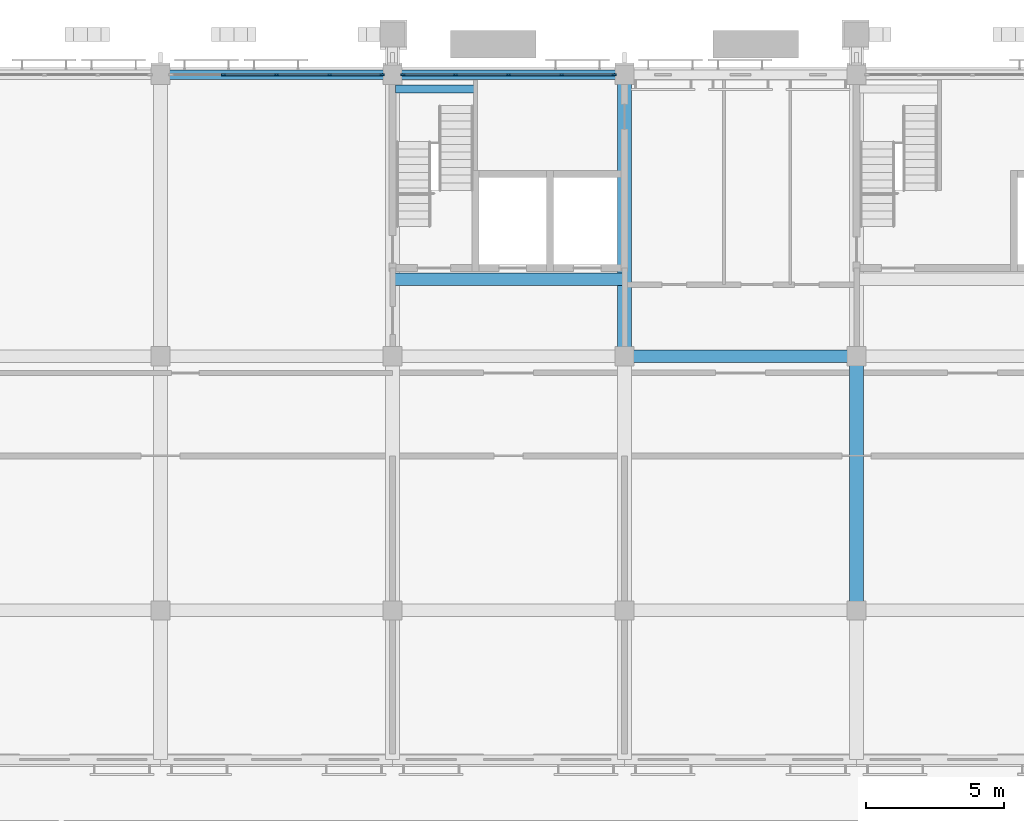
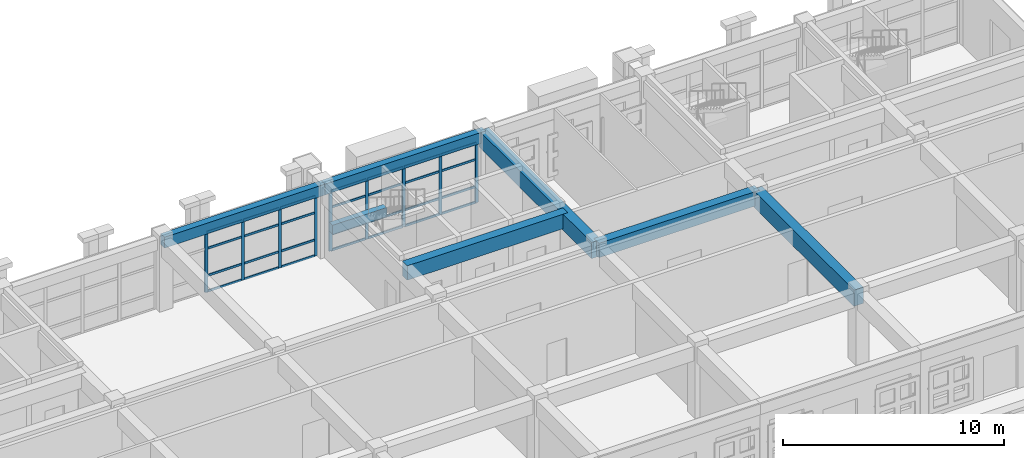
# One storey, part 28 of 99: 37 members, 7 beams, 2 elements without a shape of their own.
"""IFC4 building model written with IfcOpenShell, lengths in metres."""

from ifc_helpers import new_model, si_unit, direction, frame, origin, origin_2d, place, context, subcontext, project, spatial, rectangle, extrude, material, layer, layer_set, material_profile, profile_set, type_object, element, aggregate, save


model = new_model("IFC4")

# Units and contexts
model_context = context("Model", 3, precision=1e-05, world=origin(), true_north=direction((0.0, 1.0)))
body_context = subcontext(model_context, "Body", "Model", "MODEL_VIEW")
ifc_project = project(units=[si_unit("LENGTHUNIT", "METRE"), si_unit("AREAUNIT", "SQUARE_METRE"), si_unit("VOLUMEUNIT", "CUBIC_METRE"), si_unit("PLANEANGLEUNIT", "RADIAN"), si_unit("MASSUNIT", "GRAM", prefix="KILO")], contexts=[model_context])

# Site, building, storey
site_placement = place(None, origin())
site = spatial("IfcSite", under=ifc_project, at=site_placement, CompositionType="ELEMENT")
building_placement = place(site_placement, origin())
building = spatial("IfcBuilding", under=site, at=building_placement, Name="Wasatch Bagh Community Centre", CompositionType="ELEMENT")
storey_placement = place(building_placement, frame((0.0, 0.0, 4.199951171875)))
storey = spatial("IfcBuildingStorey", under=building, at=storey_placement, Name="L01", CompositionType="ELEMENT", Elevation=4.199951171875)

# Beams
ifc_material_1 = material(Name="Concrete C35", Category="concrete")
ifc_material_profile_1 = material_profile(ifc_material_1, rectangle(XDim=0.300048828125, YDim=0.5, at=origin_2d()), Name="RC 300x500")
ifc_profile_set_1 = profile_set([ifc_material_profile_1], Name="Concrete C35")
beam_type_1 = type_object("IfcBeamType", Name="LW RC 300x500", PredefinedType="BEAM", material=ifc_profile_set_1)
beam_1_placement = place(storey_placement, frame((106.10498046875, 97.280029296875, 1.650146484375), z_axis=(1.0, 0.0, 0.0), x_axis=(0.0, 1.0, 0.0)))
element("IfcBeam", 1, at=beam_1_placement, inside=storey, type_object=beam_type_1, Name="LW.lbeam.L01.C2", PredefinedType="BEAM", context=body_context, shape_type="SweptSolid", body=[
    extrude(rectangle(XDim=0.300048828125, YDim=0.5, at=origin_2d()), origin(), (0.0, 0.0, 1.0), 2.840087890625),
])
ifc_material_profile_2 = material_profile(ifc_material_1, rectangle(XDim=0.35009765625, YDim=0.60009765625, at=origin_2d()), Name="RC 350x600")
ifc_profile_set_2 = profile_set([ifc_material_profile_2], Name="Concrete C35")
beam_type_2 = type_object("IfcBeamType", Name="LW RC 350x600", PredefinedType="BEAM", material=ifc_profile_set_2)
for number, where, z_axis, x_axis, name in (
    (2, (97.60009765625, 97.800048828125, 3.6201171875), (1.0, 0.0, 0.0), (0.0, 1.0, 0.0), "W5-W6N"),
    (3, (106.0, 97.800048828125, 3.6201171875), (1.0, 0.0, 0.0), (0.0, 1.0, 0.0), "W6-W7N"),
):
    element("IfcBeam", number, at=place(storey_placement, frame(where, z_axis=z_axis, x_axis=x_axis)), inside=storey, type_object=beam_type_2, Name=name, PredefinedType="BEAM", context=body_context, shape_type="SweptSolid", body=[
        extrude(rectangle(XDim=0.35009765625, YDim=0.60009765625, at=origin_2d()), origin(), (0.0, 0.0, 1.0), 8.39990234375),
    ])
ifc_material_profile_3 = material_profile(ifc_material_1, rectangle(XDim=0.449951171875, YDim=0.800048828125, at=origin_2d()), Name="RC 450x800")
ifc_profile_set_3 = profile_set([ifc_material_profile_3], Name="Concrete C35")
beam_type_3 = type_object("IfcBeamType", Name="LW RC 450x800", PredefinedType="BEAM", material=ifc_profile_set_3)
beam_2_placement = place(storey_placement, frame((114.39990234375, 87.60009765625, 3.52001953125), z_axis=(1.0, 0.0, 0.0), x_axis=(0.0, 1.0, 0.0)))
element("IfcBeam", 4, at=beam_2_placement, inside=storey, type_object=beam_type_3, Name="W7-W8M", PredefinedType="BEAM", context=body_context, shape_type="SweptSolid", body=[
    extrude(rectangle(XDim=0.449951171875, YDim=0.800048828125, at=origin_2d()), origin(), (0.0, 0.0, 1.0), 8.400146484375),
])
beam_3_placement = place(storey_placement, frame((106.0, 90.39990234375, 3.52001953125), z_axis=(1.0, 0.0, 0.0), x_axis=(0.0, 1.0, 0.0)))
element("IfcBeam", 5, at=beam_3_placement, inside=storey, type_object=beam_type_3, Name="C2-transfer", PredefinedType="BEAM", context=body_context, shape_type="SweptSolid", body=[
    extrude(rectangle(XDim=0.449951171875, YDim=0.800048828125, at=origin_2d()), origin(), (0.0, 0.0, 1.0), 8.39990234375),
])
ifc_material_profile_4 = material_profile(ifc_material_1, rectangle(XDim=0.5, YDim=0.89990234375, at=origin_2d()), Name="RC 500x900")
ifc_profile_set_4 = profile_set([ifc_material_profile_4], Name="Concrete C35")
beam_type_4 = type_object("IfcBeamType", Name="LW RC 500x900", PredefinedType="BEAM", material=ifc_profile_set_4)
beam_4_placement = place(storey_placement, frame((114.39990234375, 87.60009765625, 3.469970703125), z_axis=(0.0, 1.0, 0.0), x_axis=(-1.0, 0.0, 0.0)))
element("IfcBeam", 6, at=beam_4_placement, inside=storey, type_object=beam_type_4, Name="W7M-N", PredefinedType="BEAM", context=body_context, shape_type="SweptSolid", body=[
    extrude(rectangle(XDim=0.5, YDim=0.89990234375, at=origin_2d()), origin(), (0.0, 0.0, 1.0), 10.199951171875),
])
beam_5_placement = place(storey_placement, frame((122.800048828125, 78.39990234375, 3.469970703125), z_axis=(0.0, 1.0, 0.0), x_axis=(-1.0, 0.0, 0.0)))
element("IfcBeam", 7, at=beam_5_placement, inside=storey, type_object=beam_type_4, Name="W8S-M", PredefinedType="BEAM", context=body_context, shape_type="SweptSolid", body=[
    extrude(rectangle(XDim=0.5, YDim=0.89990234375, at=origin_2d()), origin(), (0.0, 0.0, 1.0), 9.2001953125),
])

# Curtain wall, members
ifc_material_2 = material(Name="Aluminium curtain wall frame with low-iron glass", Category="aluminium")
ifc_layer_1 = layer(ifc_material_2, 0.10009765625)
ifc_layer_set_1 = layer_set([ifc_layer_1], Name="Aluminium curtain wall frame with low-iron glass")
curtain_wall_type_1 = type_object("IfcCurtainWallType", Name="LW curtain wall 100", PredefinedType="NOTDEFINED", material=ifc_layer_set_1)
curtain_wall_1_placement = place(storey_placement, origin())
curtain_wall_1 = element("IfcCurtainWall", 8, at=curtain_wall_1_placement, inside=storey, type_object=curtain_wall_type_1, Name="Curtain wall 01.05", PredefinedType="NOTDEFINED")
ifc_material_3 = material(Name="Aluminium extrusion", Category="aluminium")
ifc_material_profile_5 = material_profile(ifc_material_3, rectangle(XDim=0.06005859375, YDim=0.159912109375, at=origin_2d()), Name="AL 60x160")
ifc_profile_set_5 = profile_set([ifc_material_profile_5], Name="Aluminium extrusion")
member_type_1 = type_object("IfcMemberType", Name="LW curtain wall mullion 60x160", PredefinedType="MULLION", material=ifc_profile_set_5)
member_1_placement = place(storey_placement, frame((106.3798828125, 97.800048828125, 0.0), z_axis=(0.0, 0.0, 1.0), x_axis=(0.0, 1.0, 0.0)))
member_1 = element("IfcMember", 9, at=member_1_placement, type_object=member_type_1, Name="LW-CW1 mullion 1", PredefinedType="MULLION", context=body_context, shape_type="SweptSolid", body=[
    extrude(rectangle(XDim=0.06005859375, YDim=0.159912109375, at=origin_2d()), origin(), (0.0, 0.0, 1.0), 3.320068359375),
])
member_2_placement = place(storey_placement, frame((108.27490234375, 97.800048828125, 0.0), z_axis=(0.0, 0.0, 1.0), x_axis=(0.0, 1.0, 0.0)))
member_2 = element("IfcMember", 10, at=member_2_placement, type_object=member_type_1, Name="LW-CW1 mullion 2", PredefinedType="MULLION", context=body_context, shape_type="SweptSolid", body=[
    extrude(rectangle(XDim=0.06005859375, YDim=0.159912109375, at=origin_2d()), origin(), (0.0, 0.0, 1.0), 3.320068359375),
])
member_3_placement = place(storey_placement, frame((110.199951171875, 97.800048828125, 0.0), z_axis=(0.0, 0.0, 1.0), x_axis=(0.0, 1.0, 0.0)))
member_3 = element("IfcMember", 11, at=member_3_placement, type_object=member_type_1, Name="LW-CW1 mullion 3", PredefinedType="MULLION", context=body_context, shape_type="SweptSolid", body=[
    extrude(rectangle(XDim=0.06005859375, YDim=0.159912109375, at=origin_2d()), origin(), (0.0, 0.0, 1.0), 3.320068359375),
])
member_4_placement = place(storey_placement, frame((112.125, 97.800048828125, 0.0), z_axis=(0.0, 0.0, 1.0), x_axis=(0.0, 1.0, 0.0)))
member_4 = element("IfcMember", 12, at=member_4_placement, type_object=member_type_1, Name="LW-CW1 mullion 4", PredefinedType="MULLION", context=body_context, shape_type="SweptSolid", body=[
    extrude(rectangle(XDim=0.06005859375, YDim=0.159912109375, at=origin_2d()), origin(), (0.0, 0.0, 1.0), 3.320068359375),
])
member_5_placement = place(storey_placement, frame((114.02001953125, 97.800048828125, 0.0), z_axis=(0.0, 0.0, 1.0), x_axis=(0.0, 1.0, 0.0)))
member_5 = element("IfcMember", 13, at=member_5_placement, type_object=member_type_1, Name="LW-CW1 mullion 5", PredefinedType="MULLION", context=body_context, shape_type="SweptSolid", body=[
    extrude(rectangle(XDim=0.06005859375, YDim=0.159912109375, at=origin_2d()), origin(), (0.0, 0.0, 1.0), 3.320068359375),
])

ifc_layer_2 = layer(ifc_material_2, 0.1201171875)
ifc_layer_set_2 = layer_set([ifc_layer_2], Name="Aluminium curtain wall frame with low-iron glass")
curtain_wall_type_2 = type_object("IfcCurtainWallType", Name="LW study front curtain wall 120", PredefinedType="NOTDEFINED", material=ifc_layer_set_2)
curtain_wall_2_placement = place(storey_placement, origin())
curtain_wall_2 = element("IfcCurtainWall", 14, at=curtain_wall_2_placement, inside=storey, type_object=curtain_wall_type_2, Name="Curtain wall 01.04", PredefinedType="NOTDEFINED")
ifc_material_profile_6 = material_profile(ifc_material_3, rectangle(XDim=0.06005859375, YDim=0.159912109375, at=origin_2d()), Name="AL 60x160")
ifc_profile_set_6 = profile_set([ifc_material_profile_6], Name="Aluminium extrusion")
member_type_2 = type_object("IfcMemberType", Name="LW curtain wall mullion 60x160 LW-CW2", PredefinedType="MULLION", material=ifc_profile_set_6)
member_6_placement = place(storey_placement, frame((99.875, 97.800048828125, 0.0), z_axis=(0.0, 0.0, 1.0), x_axis=(0.0, 1.0, 0.0)))
member_6 = element("IfcMember", 15, at=member_6_placement, type_object=member_type_2, Name="LW-CW2 mullion 2", PredefinedType="MULLION", context=body_context, shape_type="SweptSolid", body=[
    extrude(rectangle(XDim=0.06005859375, YDim=0.159912109375, at=origin_2d()), origin(), (0.0, 0.0, 1.0), 3.320068359375),
])
member_7_placement = place(storey_placement, frame((101.800048828125, 97.800048828125, 0.0), z_axis=(0.0, 0.0, 1.0), x_axis=(0.0, 1.0, 0.0)))
member_7 = element("IfcMember", 16, at=member_7_placement, type_object=member_type_2, Name="LW-CW2 mullion 3", PredefinedType="MULLION", context=body_context, shape_type="SweptSolid", body=[
    extrude(rectangle(XDim=0.06005859375, YDim=0.159912109375, at=origin_2d()), origin(), (0.0, 0.0, 1.0), 3.320068359375),
])
member_8_placement = place(storey_placement, frame((103.72509765625, 97.800048828125, 0.0), z_axis=(0.0, 0.0, 1.0), x_axis=(0.0, 1.0, 0.0)))
member_8 = element("IfcMember", 17, at=member_8_placement, type_object=member_type_2, Name="LW-CW2 mullion 4", PredefinedType="MULLION", context=body_context, shape_type="SweptSolid", body=[
    extrude(rectangle(XDim=0.06005859375, YDim=0.159912109375, at=origin_2d()), origin(), (0.0, 0.0, 1.0), 3.320068359375),
])
member_9_placement = place(storey_placement, frame((105.6201171875, 97.800048828125, 0.0), z_axis=(0.0, 0.0, 1.0), x_axis=(0.0, 1.0, 0.0)))
member_9 = element("IfcMember", 18, at=member_9_placement, type_object=member_type_2, Name="LW-CW2 mullion 5", PredefinedType="MULLION", context=body_context, shape_type="SweptSolid", body=[
    extrude(rectangle(XDim=0.06005859375, YDim=0.159912109375, at=origin_2d()), origin(), (0.0, 0.0, 1.0), 3.320068359375),
])

# Member
ifc_material_profile_7 = material_profile(ifc_material_3, rectangle(XDim=0.06005859375, YDim=0.1201171875, at=origin_2d()), Name="AL 60x120")
ifc_profile_set_7 = profile_set([ifc_material_profile_7], Name="Aluminium extrusion")
member_type_3 = type_object("IfcMemberType", Name="LW curtain wall transom 60x120", PredefinedType="USERDEFINED", material=ifc_profile_set_7)
member_10_placement = place(storey_placement, frame((106.409912109375, 97.800048828125, 0.030029296875), z_axis=(1.0, 0.0, 0.0), x_axis=(0.0, 1.0, 0.0)))
member_10 = element("IfcMember", 19, at=member_10_placement, type_object=member_type_3, Name="LW-CW1 transom 1.1", ObjectType="TRANSOM", PredefinedType="USERDEFINED", context=body_context, shape_type="SweptSolid", body=[
    extrude(rectangle(XDim=0.06005859375, YDim=0.1201171875, at=origin_2d()), origin(), (0.0, 0.0, 1.0), 1.835205078125),
])

member_11_placement = place(storey_placement, frame((106.409912109375, 97.800048828125, 0.900146484375), z_axis=(1.0, 0.0, 0.0), x_axis=(0.0, 1.0, 0.0)))
member_11 = element("IfcMember", 20, at=member_11_placement, type_object=member_type_3, Name="LW-CW1 transom 1.2", ObjectType="TRANSOM", PredefinedType="USERDEFINED", context=body_context, shape_type="SweptSolid", body=[
    extrude(rectangle(XDim=0.06005859375, YDim=0.1201171875, at=origin_2d()), origin(), (0.0, 0.0, 1.0), 1.835205078125),
])

member_12_placement = place(storey_placement, frame((106.409912109375, 97.800048828125, 2.400146484375), z_axis=(1.0, 0.0, 0.0), x_axis=(0.0, 1.0, 0.0)))
member_12 = element("IfcMember", 21, at=member_12_placement, type_object=member_type_3, Name="LW-CW1 transom 1.3", ObjectType="TRANSOM", PredefinedType="USERDEFINED", context=body_context, shape_type="SweptSolid", body=[
    extrude(rectangle(XDim=0.06005859375, YDim=0.1201171875, at=origin_2d()), origin(), (0.0, 0.0, 1.0), 1.835205078125),
])

member_13_placement = place(storey_placement, frame((106.409912109375, 97.800048828125, 3.2900390625), z_axis=(1.0, 0.0, 0.0), x_axis=(0.0, 1.0, 0.0)))
member_13 = element("IfcMember", 22, at=member_13_placement, type_object=member_type_3, Name="LW-CW1 transom 1.4", ObjectType="TRANSOM", PredefinedType="USERDEFINED", context=body_context, shape_type="SweptSolid", body=[
    extrude(rectangle(XDim=0.06005859375, YDim=0.1201171875, at=origin_2d()), origin(), (0.0, 0.0, 1.0), 1.835205078125),
])

member_14_placement = place(storey_placement, frame((108.304931640625, 97.800048828125, 0.030029296875), z_axis=(1.0, 0.0, 0.0), x_axis=(0.0, 1.0, 0.0)))
member_14 = element("IfcMember", 23, at=member_14_placement, type_object=member_type_3, Name="LW-CW1 transom 2.1", ObjectType="TRANSOM", PredefinedType="USERDEFINED", context=body_context, shape_type="SweptSolid", body=[
    extrude(rectangle(XDim=0.06005859375, YDim=0.1201171875, at=origin_2d()), origin(), (0.0, 0.0, 1.0), 1.864990234375),
])

member_15_placement = place(storey_placement, frame((108.304931640625, 97.800048828125, 0.900146484375), z_axis=(1.0, 0.0, 0.0), x_axis=(0.0, 1.0, 0.0)))
member_15 = element("IfcMember", 24, at=member_15_placement, type_object=member_type_3, Name="LW-CW1 transom 2.2", ObjectType="TRANSOM", PredefinedType="USERDEFINED", context=body_context, shape_type="SweptSolid", body=[
    extrude(rectangle(XDim=0.06005859375, YDim=0.1201171875, at=origin_2d()), origin(), (0.0, 0.0, 1.0), 1.864990234375),
])

member_16_placement = place(storey_placement, frame((108.304931640625, 97.800048828125, 2.400146484375), z_axis=(1.0, 0.0, 0.0), x_axis=(0.0, 1.0, 0.0)))
member_16 = element("IfcMember", 25, at=member_16_placement, type_object=member_type_3, Name="LW-CW1 transom 2.3", ObjectType="TRANSOM", PredefinedType="USERDEFINED", context=body_context, shape_type="SweptSolid", body=[
    extrude(rectangle(XDim=0.06005859375, YDim=0.1201171875, at=origin_2d()), origin(), (0.0, 0.0, 1.0), 1.864990234375),
])

member_17_placement = place(storey_placement, frame((108.304931640625, 97.800048828125, 3.2900390625), z_axis=(1.0, 0.0, 0.0), x_axis=(0.0, 1.0, 0.0)))
member_17 = element("IfcMember", 26, at=member_17_placement, type_object=member_type_3, Name="LW-CW1 transom 2.4", ObjectType="TRANSOM", PredefinedType="USERDEFINED", context=body_context, shape_type="SweptSolid", body=[
    extrude(rectangle(XDim=0.06005859375, YDim=0.1201171875, at=origin_2d()), origin(), (0.0, 0.0, 1.0), 1.864990234375),
])

member_18_placement = place(storey_placement, frame((110.22998046875, 97.800048828125, 0.030029296875), z_axis=(1.0, 0.0, 0.0), x_axis=(0.0, 1.0, 0.0)))
member_18 = element("IfcMember", 27, at=member_18_placement, type_object=member_type_3, Name="LW-CW1 transom 3.1", ObjectType="TRANSOM", PredefinedType="USERDEFINED", context=body_context, shape_type="SweptSolid", body=[
    extrude(rectangle(XDim=0.06005859375, YDim=0.1201171875, at=origin_2d()), origin(), (0.0, 0.0, 1.0), 1.864990234375),
])

member_19_placement = place(storey_placement, frame((110.22998046875, 97.800048828125, 0.900146484375), z_axis=(1.0, 0.0, 0.0), x_axis=(0.0, 1.0, 0.0)))
member_19 = element("IfcMember", 28, at=member_19_placement, type_object=member_type_3, Name="LW-CW1 transom 3.2", ObjectType="TRANSOM", PredefinedType="USERDEFINED", context=body_context, shape_type="SweptSolid", body=[
    extrude(rectangle(XDim=0.06005859375, YDim=0.1201171875, at=origin_2d()), origin(), (0.0, 0.0, 1.0), 1.864990234375),
])

member_20_placement = place(storey_placement, frame((110.22998046875, 97.800048828125, 2.400146484375), z_axis=(1.0, 0.0, 0.0), x_axis=(0.0, 1.0, 0.0)))
member_20 = element("IfcMember", 29, at=member_20_placement, type_object=member_type_3, Name="LW-CW1 transom 3.3", ObjectType="TRANSOM", PredefinedType="USERDEFINED", context=body_context, shape_type="SweptSolid", body=[
    extrude(rectangle(XDim=0.06005859375, YDim=0.1201171875, at=origin_2d()), origin(), (0.0, 0.0, 1.0), 1.864990234375),
])

member_21_placement = place(storey_placement, frame((110.22998046875, 97.800048828125, 3.2900390625), z_axis=(1.0, 0.0, 0.0), x_axis=(0.0, 1.0, 0.0)))
member_21 = element("IfcMember", 30, at=member_21_placement, type_object=member_type_3, Name="LW-CW1 transom 3.4", ObjectType="TRANSOM", PredefinedType="USERDEFINED", context=body_context, shape_type="SweptSolid", body=[
    extrude(rectangle(XDim=0.06005859375, YDim=0.1201171875, at=origin_2d()), origin(), (0.0, 0.0, 1.0), 1.864990234375),
])

member_22_placement = place(storey_placement, frame((112.155029296875, 97.800048828125, 0.030029296875), z_axis=(1.0, 0.0, 0.0), x_axis=(0.0, 1.0, 0.0)))
member_22 = element("IfcMember", 31, at=member_22_placement, type_object=member_type_3, Name="LW-CW1 transom 4.1", ObjectType="TRANSOM", PredefinedType="USERDEFINED", context=body_context, shape_type="SweptSolid", body=[
    extrude(rectangle(XDim=0.06005859375, YDim=0.1201171875, at=origin_2d()), origin(), (0.0, 0.0, 1.0), 1.8349609375),
])

member_23_placement = place(storey_placement, frame((112.155029296875, 97.800048828125, 0.900146484375), z_axis=(1.0, 0.0, 0.0), x_axis=(0.0, 1.0, 0.0)))
member_23 = element("IfcMember", 32, at=member_23_placement, type_object=member_type_3, Name="LW-CW1 transom 4.2", ObjectType="TRANSOM", PredefinedType="USERDEFINED", context=body_context, shape_type="SweptSolid", body=[
    extrude(rectangle(XDim=0.06005859375, YDim=0.1201171875, at=origin_2d()), origin(), (0.0, 0.0, 1.0), 1.8349609375),
])

member_24_placement = place(storey_placement, frame((112.155029296875, 97.800048828125, 2.400146484375), z_axis=(1.0, 0.0, 0.0), x_axis=(0.0, 1.0, 0.0)))
member_24 = element("IfcMember", 33, at=member_24_placement, type_object=member_type_3, Name="LW-CW1 transom 4.3", ObjectType="TRANSOM", PredefinedType="USERDEFINED", context=body_context, shape_type="SweptSolid", body=[
    extrude(rectangle(XDim=0.06005859375, YDim=0.1201171875, at=origin_2d()), origin(), (0.0, 0.0, 1.0), 1.8349609375),
])

member_25_placement = place(storey_placement, frame((112.155029296875, 97.800048828125, 3.2900390625), z_axis=(1.0, 0.0, 0.0), x_axis=(0.0, 1.0, 0.0)))
member_25 = element("IfcMember", 34, at=member_25_placement, type_object=member_type_3, Name="LW-CW1 transom 4.4", ObjectType="TRANSOM", PredefinedType="USERDEFINED", context=body_context, shape_type="SweptSolid", body=[
    extrude(rectangle(XDim=0.06005859375, YDim=0.1201171875, at=origin_2d()), origin(), (0.0, 0.0, 1.0), 1.8349609375),
])

aggregate(curtain_wall_1, [member_1, member_2, member_3, member_4, member_5, member_10, member_11, member_12, member_13, member_14, member_15, member_16, member_17, member_18, member_19, member_20, member_21, member_22, member_23, member_24, member_25])

ifc_material_profile_8 = material_profile(ifc_material_3, rectangle(XDim=0.06005859375, YDim=0.1201171875, at=origin_2d()), Name="AL 60x120")
ifc_profile_set_8 = profile_set([ifc_material_profile_8], Name="Aluminium extrusion")
member_type_4 = type_object("IfcMemberType", Name="LW curtain wall transom 60x120 LW-CW2", PredefinedType="USERDEFINED", material=ifc_profile_set_8)
member_26_placement = place(storey_placement, frame((99.905029296875, 97.800048828125, 0.030029296875), z_axis=(1.0, 0.0, 0.0), x_axis=(0.0, 1.0, 0.0)))
member_26 = element("IfcMember", 35, at=member_26_placement, type_object=member_type_4, Name="LW-CW2 transom 2.1", ObjectType="TRANSOM", PredefinedType="USERDEFINED", context=body_context, shape_type="SweptSolid", body=[
    extrude(rectangle(XDim=0.06005859375, YDim=0.1201171875, at=origin_2d()), origin(), (0.0, 0.0, 1.0), 1.864990234375),
])

member_27_placement = place(storey_placement, frame((99.905029296875, 97.800048828125, 0.900146484375), z_axis=(1.0, 0.0, 0.0), x_axis=(0.0, 1.0, 0.0)))
member_27 = element("IfcMember", 36, at=member_27_placement, type_object=member_type_4, Name="LW-CW2 transom 2.2", ObjectType="TRANSOM", PredefinedType="USERDEFINED", context=body_context, shape_type="SweptSolid", body=[
    extrude(rectangle(XDim=0.06005859375, YDim=0.1201171875, at=origin_2d()), origin(), (0.0, 0.0, 1.0), 1.864990234375),
])

member_28_placement = place(storey_placement, frame((99.905029296875, 97.800048828125, 2.400146484375), z_axis=(1.0, 0.0, 0.0), x_axis=(0.0, 1.0, 0.0)))
member_28 = element("IfcMember", 37, at=member_28_placement, type_object=member_type_4, Name="LW-CW2 transom 2.3", ObjectType="TRANSOM", PredefinedType="USERDEFINED", context=body_context, shape_type="SweptSolid", body=[
    extrude(rectangle(XDim=0.06005859375, YDim=0.1201171875, at=origin_2d()), origin(), (0.0, 0.0, 1.0), 1.864990234375),
])

member_29_placement = place(storey_placement, frame((99.905029296875, 97.800048828125, 3.2900390625), z_axis=(1.0, 0.0, 0.0), x_axis=(0.0, 1.0, 0.0)))
member_29 = element("IfcMember", 38, at=member_29_placement, type_object=member_type_4, Name="LW-CW2 transom 2.4", ObjectType="TRANSOM", PredefinedType="USERDEFINED", context=body_context, shape_type="SweptSolid", body=[
    extrude(rectangle(XDim=0.06005859375, YDim=0.1201171875, at=origin_2d()), origin(), (0.0, 0.0, 1.0), 1.864990234375),
])

member_30_placement = place(storey_placement, frame((101.830078125, 97.800048828125, 0.030029296875), z_axis=(1.0, 0.0, 0.0), x_axis=(0.0, 1.0, 0.0)))
member_30 = element("IfcMember", 39, at=member_30_placement, type_object=member_type_4, Name="LW-CW2 transom 3.1", ObjectType="TRANSOM", PredefinedType="USERDEFINED", context=body_context, shape_type="SweptSolid", body=[
    extrude(rectangle(XDim=0.06005859375, YDim=0.1201171875, at=origin_2d()), origin(), (0.0, 0.0, 1.0), 1.864990234375),
])

member_31_placement = place(storey_placement, frame((101.830078125, 97.800048828125, 0.900146484375), z_axis=(1.0, 0.0, 0.0), x_axis=(0.0, 1.0, 0.0)))
member_31 = element("IfcMember", 40, at=member_31_placement, type_object=member_type_4, Name="LW-CW2 transom 3.2", ObjectType="TRANSOM", PredefinedType="USERDEFINED", context=body_context, shape_type="SweptSolid", body=[
    extrude(rectangle(XDim=0.06005859375, YDim=0.1201171875, at=origin_2d()), origin(), (0.0, 0.0, 1.0), 1.864990234375),
])

member_32_placement = place(storey_placement, frame((101.830078125, 97.800048828125, 2.400146484375), z_axis=(1.0, 0.0, 0.0), x_axis=(0.0, 1.0, 0.0)))
member_32 = element("IfcMember", 41, at=member_32_placement, type_object=member_type_4, Name="LW-CW2 transom 3.3", ObjectType="TRANSOM", PredefinedType="USERDEFINED", context=body_context, shape_type="SweptSolid", body=[
    extrude(rectangle(XDim=0.06005859375, YDim=0.1201171875, at=origin_2d()), origin(), (0.0, 0.0, 1.0), 1.864990234375),
])

member_33_placement = place(storey_placement, frame((101.830078125, 97.800048828125, 3.2900390625), z_axis=(1.0, 0.0, 0.0), x_axis=(0.0, 1.0, 0.0)))
member_33 = element("IfcMember", 42, at=member_33_placement, type_object=member_type_4, Name="LW-CW2 transom 3.4", ObjectType="TRANSOM", PredefinedType="USERDEFINED", context=body_context, shape_type="SweptSolid", body=[
    extrude(rectangle(XDim=0.06005859375, YDim=0.1201171875, at=origin_2d()), origin(), (0.0, 0.0, 1.0), 1.864990234375),
])

member_34_placement = place(storey_placement, frame((103.7548828125, 97.800048828125, 0.030029296875), z_axis=(1.0, 0.0, 0.0), x_axis=(0.0, 1.0, 0.0)))
member_34 = element("IfcMember", 43, at=member_34_placement, type_object=member_type_4, Name="LW-CW2 transom 4.1", ObjectType="TRANSOM", PredefinedType="USERDEFINED", context=body_context, shape_type="SweptSolid", body=[
    extrude(rectangle(XDim=0.06005859375, YDim=0.1201171875, at=origin_2d()), origin(), (0.0, 0.0, 1.0), 1.835205078125),
])

member_35_placement = place(storey_placement, frame((103.7548828125, 97.800048828125, 0.900146484375), z_axis=(1.0, 0.0, 0.0), x_axis=(0.0, 1.0, 0.0)))
member_35 = element("IfcMember", 44, at=member_35_placement, type_object=member_type_4, Name="LW-CW2 transom 4.2", ObjectType="TRANSOM", PredefinedType="USERDEFINED", context=body_context, shape_type="SweptSolid", body=[
    extrude(rectangle(XDim=0.06005859375, YDim=0.1201171875, at=origin_2d()), origin(), (0.0, 0.0, 1.0), 1.835205078125),
])

member_36_placement = place(storey_placement, frame((103.7548828125, 97.800048828125, 2.400146484375), z_axis=(1.0, 0.0, 0.0), x_axis=(0.0, 1.0, 0.0)))
member_36 = element("IfcMember", 45, at=member_36_placement, type_object=member_type_4, Name="LW-CW2 transom 4.3", ObjectType="TRANSOM", PredefinedType="USERDEFINED", context=body_context, shape_type="SweptSolid", body=[
    extrude(rectangle(XDim=0.06005859375, YDim=0.1201171875, at=origin_2d()), origin(), (0.0, 0.0, 1.0), 1.835205078125),
])

member_37_placement = place(storey_placement, frame((103.7548828125, 97.800048828125, 3.2900390625), z_axis=(1.0, 0.0, 0.0), x_axis=(0.0, 1.0, 0.0)))
member_37 = element("IfcMember", 46, at=member_37_placement, type_object=member_type_4, Name="LW-CW2 transom 4.4", ObjectType="TRANSOM", PredefinedType="USERDEFINED", context=body_context, shape_type="SweptSolid", body=[
    extrude(rectangle(XDim=0.06005859375, YDim=0.1201171875, at=origin_2d()), origin(), (0.0, 0.0, 1.0), 1.835205078125),
])

aggregate(curtain_wall_2, [member_6, member_7, member_8, member_9, member_26, member_27, member_28, member_29, member_30, member_31, member_32, member_33, member_34, member_35, member_36, member_37])

save(model, "model.ifc")
